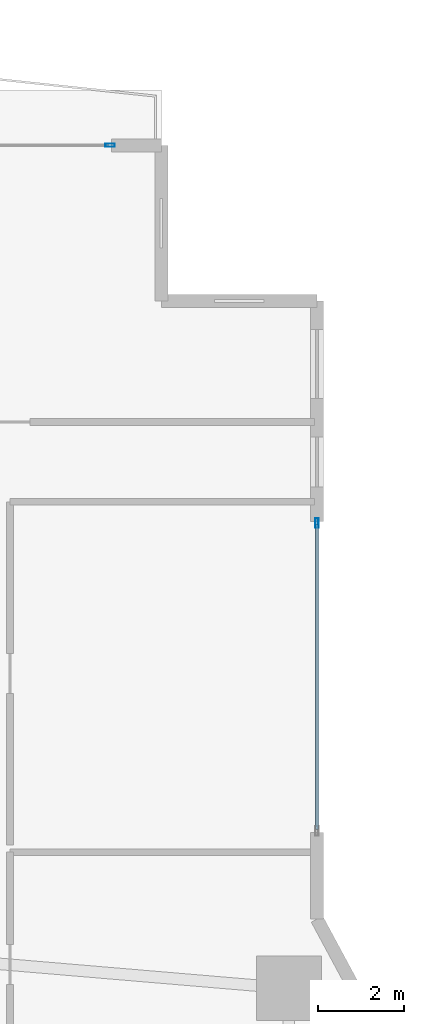
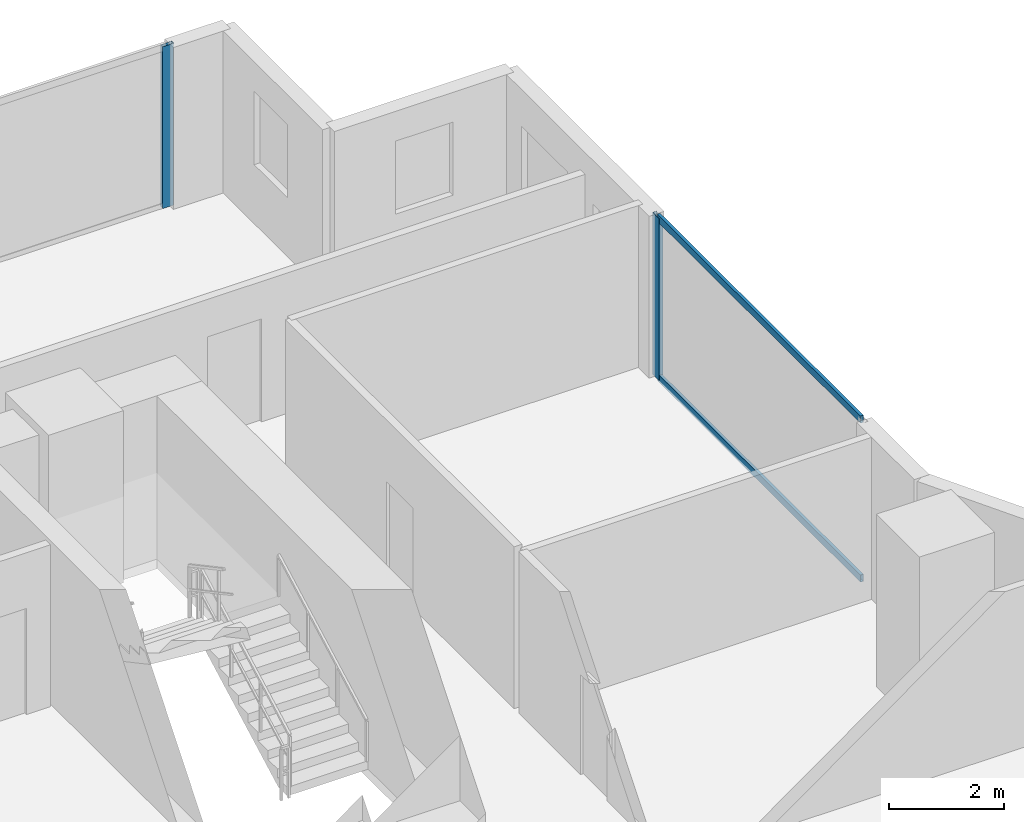
# One storey, part 17 of 28: 4 members, 2 elements without a shape of their own.
"""IFC4 building model written with IfcOpenShell, lengths in metres."""

from ifc_helpers import new_model, si_unit, direction, frame, origin, origin_2d, place, context, subcontext, project, spatial, hollow_rectangle, extrude, material, layer, layer_set, material_profile, profile_set, type_object, element, aggregate, save


model = new_model("IFC4")

# Units and contexts
model_context = context("Model", 3, precision=1e-05, world=origin(), true_north=direction((0.0, 1.0)))
body_context = subcontext(model_context, "Body", "Model", "MODEL_VIEW")
ifc_project = project(units=[si_unit("LENGTHUNIT", "METRE"), si_unit("AREAUNIT", "SQUARE_METRE"), si_unit("VOLUMEUNIT", "CUBIC_METRE"), si_unit("PLANEANGLEUNIT", "RADIAN"), si_unit("MASSUNIT", "GRAM", prefix="KILO")], contexts=[model_context])

# Site, building, storey
site_placement = place(None, origin())
site = spatial("IfcSite", under=ifc_project, at=site_placement, CompositionType="ELEMENT")
building_placement = place(site_placement, origin())
building = spatial("IfcBuilding", under=site, at=building_placement, Name="Zuhayl Quay Hotel", CompositionType="ELEMENT")
storey_placement = place(building_placement, frame((0.0, 0.0, 75.050048828125)))
storey = spatial("IfcBuildingStorey", under=building, at=storey_placement, Name="L18", CompositionType="ELEMENT", Elevation=75.050048828125)

# Curtain wall, member
ifc_material_1 = material(Name="Anodised Aluminium 6063-T6", Category="aluminium")
ifc_layer = layer(ifc_material_1, 0.18994140625, Name="Anodised Aluminium 6063-T6", Category="aluminium")
ifc_layer_set = layer_set([ifc_layer], Name="Anodised Aluminium 6063-T6")
curtain_wall_type = type_object("IfcCurtainWallType", Name="CW_SYS_Z1", PredefinedType="USERDEFINED", material=ifc_layer_set)
curtain_wall_1_placement = place(storey_placement, origin())
curtain_wall_1 = element("IfcCurtainWall", 1, at=curtain_wall_1_placement, inside=storey, type_object=curtain_wall_type, Name="L18 Curtain Wall ENV_L18_N_CW4", ObjectType="UNITISED CURTAIN WALL", PredefinedType="USERDEFINED")
ifc_material_2 = material(Name="Black-anodised aluminium 6063-T6", Category="aluminium")
ifc_material_profile_1 = material_profile(ifc_material_2, hollow_rectangle(XDim=0.074951171875, YDim=0.219970703125, WallThickness=0.00390625, at=origin_2d()), Name="ALU220X75")
ifc_profile_set_1 = profile_set([ifc_material_profile_1], Name="Black-anodised aluminium 6063-T6")
member_type_1 = type_object("IfcMemberType", Name="MB_CW_MUL_220", PredefinedType="MULLION", material=ifc_profile_set_1)
member_1_placement = place(storey_placement, frame((20.91259765625, 23.10009765625, 0.0), z_axis=(0.0, 0.0, 1.0), x_axis=(0.0, 1.0, 0.0)))
member_1 = element("IfcMember", 2, at=member_1_placement, type_object=member_type_1, Name="CW-Z1 mullion 2", PredefinedType="MULLION", context=body_context, shape_type="SweptSolid", body=[
    extrude(hollow_rectangle(XDim=0.074951171875, YDim=0.219970703125, WallThickness=0.00390625, at=origin_2d()), origin(), (0.0, 0.0, 1.0), 3.429931640625),
])
aggregate(curtain_wall_1, [member_1])

# Curtain wall, members
curtain_wall_2_placement = place(storey_placement, origin())
curtain_wall_2 = element("IfcCurtainWall", 3, at=curtain_wall_2_placement, inside=storey, type_object=curtain_wall_type, Name="L18 Curtain Wall ENV_L18_E11_CW1", ObjectType="UNITISED CURTAIN WALL", PredefinedType="USERDEFINED")
member_2_placement = place(storey_placement, frame((25.699951171875, 14.362548828125, 0.0), z_axis=(0.0, 0.0, 1.0), x_axis=(1.0, 0.0, 0.0)))
member_2 = element("IfcMember", 4, at=member_2_placement, type_object=member_type_1, Name="CW-Z1 mullion 1", PredefinedType="MULLION", context=body_context, shape_type="SweptSolid", body=[
    extrude(hollow_rectangle(XDim=0.074951171875, YDim=0.219970703125, WallThickness=0.00390625, at=origin_2d()), origin(), (0.0, 0.0, 1.0), 3.429931640625),
])
ifc_material_profile_2 = material_profile(ifc_material_2, hollow_rectangle(XDim=0.06005859375, YDim=0.14990234375, WallThickness=0.00341796875, at=origin_2d()), Name="ALU150X60")
ifc_profile_set_2 = profile_set([ifc_material_profile_2], Name="Black-anodised aluminium 6063-T6")
member_type_2 = type_object("IfcMemberType", Name="MB_CW_TRN_150", PredefinedType="USERDEFINED", material=ifc_profile_set_2)
member_3_placement = place(storey_placement, frame((25.699951171875, 14.324951171875, 0.030029296875), z_axis=(0.0, -1.0, 0.0), x_axis=(1.0, 0.0, 0.0)))
member_3 = element("IfcMember", 5, at=member_3_placement, type_object=member_type_2, Name="CW-Z1 transom 1.1", ObjectType="TRANSOM", PredefinedType="USERDEFINED", context=body_context, shape_type="SweptSolid", body=[
    extrude(hollow_rectangle(XDim=0.06005859375, YDim=0.14990234375, WallThickness=0.00341796875, at=origin_2d()), origin(), (0.0, 0.0, 1.0), 7.050048828125),
])
member_4_placement = place(storey_placement, frame((25.699951171875, 14.324951171875, 3.39990234375), z_axis=(0.0, -1.0, 0.0), x_axis=(1.0, 0.0, 0.0)))
member_4 = element("IfcMember", 6, at=member_4_placement, type_object=member_type_2, Name="CW-Z1 transom 1.2", ObjectType="TRANSOM", PredefinedType="USERDEFINED", context=body_context, shape_type="SweptSolid", body=[
    extrude(hollow_rectangle(XDim=0.06005859375, YDim=0.14990234375, WallThickness=0.00341796875, at=origin_2d()), origin(), (0.0, 0.0, 1.0), 7.050048828125),
])
aggregate(curtain_wall_2, [member_2, member_3, member_4])

save(model, "model.ifc")
